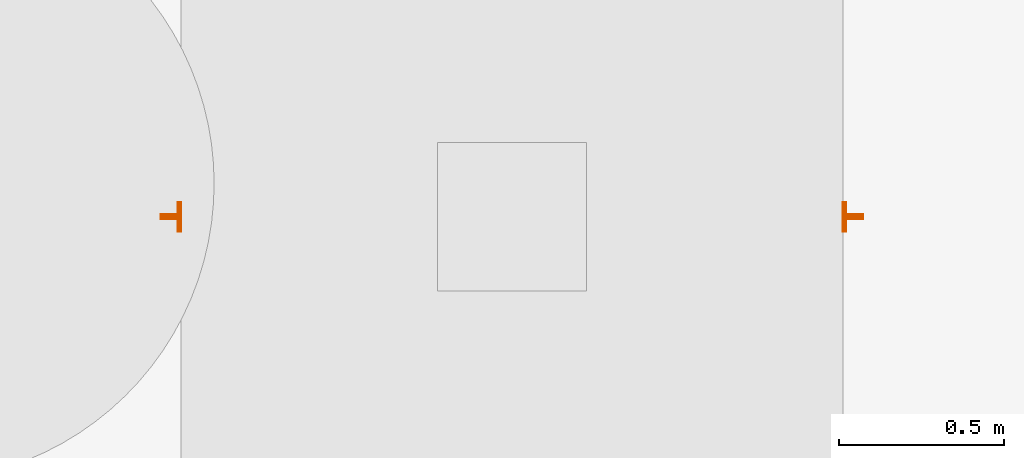
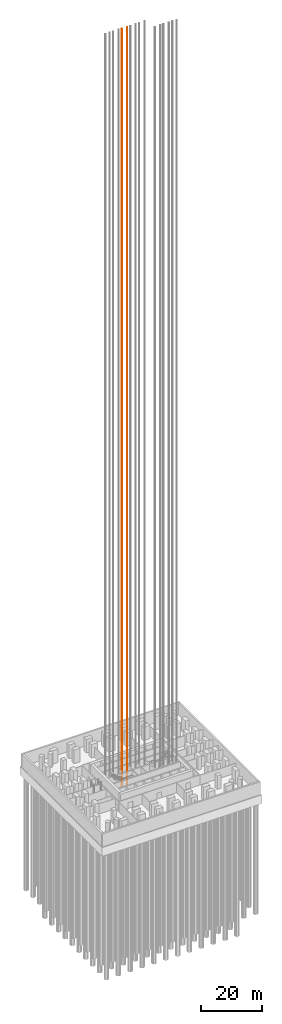
# One storey, part 11 of 17: 1 proxy.
"""IFC4 building model written with IfcOpenShell, lengths in metres."""

from ifc_helpers import new_model, si_unit, direction, frame, origin, origin_2d, place, context, subcontext, project, spatial, t_section, extrude, material, type_object, element, save


model = new_model("IFC4")

# Units and contexts
model_context = context("Model", 3, precision=1e-05, world=origin(), true_north=direction((0.0, 1.0)))
body_context = subcontext(model_context, "Body", "Model", "MODEL_VIEW")
ifc_project = project(units=[si_unit("LENGTHUNIT", "METRE"), si_unit("AREAUNIT", "SQUARE_METRE"), si_unit("VOLUMEUNIT", "CUBIC_METRE"), si_unit("PLANEANGLEUNIT", "RADIAN"), si_unit("MASSUNIT", "GRAM", prefix="KILO")], contexts=[model_context])

# Site, building, storey
site_placement = place(None, origin())
site = spatial("IfcSite", under=ifc_project, at=site_placement, CompositionType="ELEMENT")
building_placement = place(site_placement, origin())
building = spatial("IfcBuilding", under=site, at=building_placement, Name="Cobogo Forest Laboratory Tower", CompositionType="ELEMENT")
storey_placement = place(building_placement, frame((0.0, 0.0, -5.39990234375)))
storey = spatial("IfcBuildingStorey", under=building, at=storey_placement, Name="L-01", CompositionType="ELEMENT", Elevation=-5.39990234375)

# Proxy
ifc_material = material(Name="Steel guide rail", Category="steel")
building_element_proxy_type = type_object("IfcBuildingElementProxyType", Name="LR lift guide rails", PredefinedType="USERDEFINED", material=ifc_material)
proxy_placement = place(storey_placement, frame((21.449951171875, 25.25, 0.0)))
element("IfcBuildingElementProxy", 1, at=proxy_placement, inside=storey, type_object=building_element_proxy_type, Name="LS4 guide rails", ObjectType="LIFT GUIDE RAILS", PredefinedType="USERDEFINED", context=body_context, shape_type="SweptSolid", body=[
    extrude(t_section(Depth=0.062, FlangeWidth=0.089, WebThickness=0.0159, FlangeThickness=0.01, at=origin_2d()), frame((-1.031005859375, 0.0, -1.60009765625), z_axis=(0.0, 0.0, 1.0), x_axis=(0.0, -1.0, 0.0)), (0.0, 0.0, 1.0), 303.800048828125),
    extrude(t_section(Depth=0.062, FlangeWidth=0.089, WebThickness=0.0159, FlangeThickness=0.01, at=origin_2d()), frame((1.031005859375, 0.0, -1.60009765625), z_axis=(0.0, 0.0, 1.0), x_axis=(0.0, 1.0, 0.0)), (0.0, 0.0, 1.0), 303.800048828125),
])

save(model, "model.ifc")
